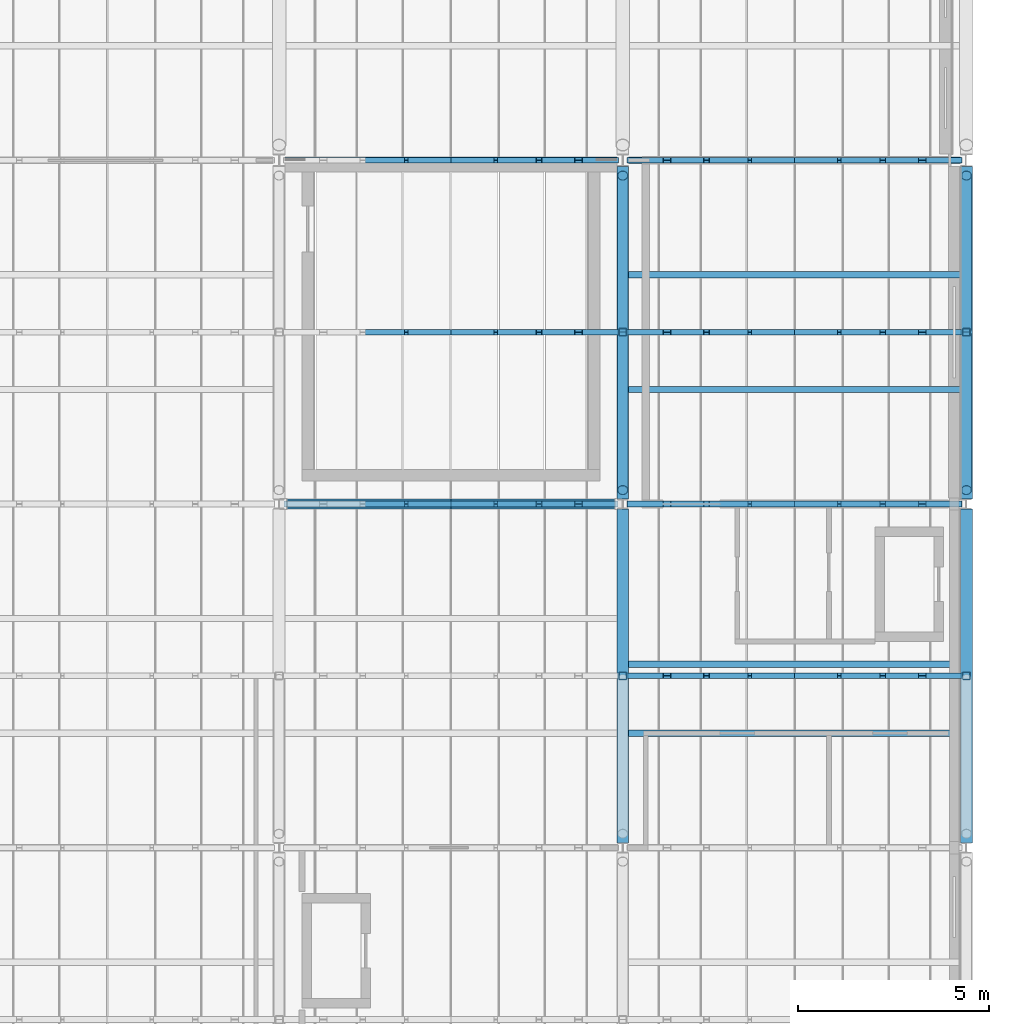
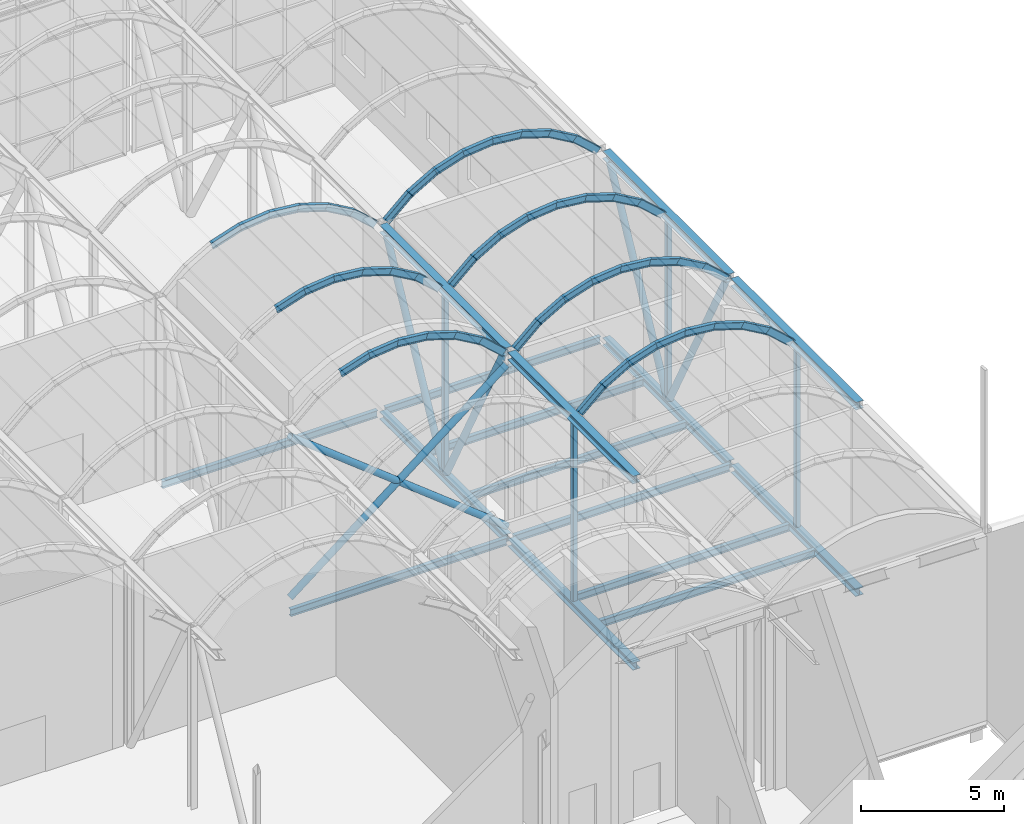
# One storey, part 101 of 144: 60 members, 16 beams.
"""IFC4 building model written with IfcOpenShell, lengths in metres."""

from ifc_helpers import new_model, si_unit, direction, frame, origin, origin_2d, place, context, subcontext, project, spatial, hollow_rectangle, hollow_circle, i_section, extrude, material, material_profile, profile_set, type_object, element, save


model = new_model("IFC4")

# Units and contexts
model_context = context("Model", 3, precision=1e-05, world=origin(), true_north=direction((0.0, 1.0)))
body_context = subcontext(model_context, "Body", "Model", "MODEL_VIEW")
ifc_project = project(units=[si_unit("LENGTHUNIT", "METRE"), si_unit("AREAUNIT", "SQUARE_METRE"), si_unit("VOLUMEUNIT", "CUBIC_METRE"), si_unit("PLANEANGLEUNIT", "RADIAN"), si_unit("MASSUNIT", "GRAM", prefix="KILO")], contexts=[model_context])

# Site, building, storey
site_placement = place(None, origin())
site = spatial("IfcSite", under=ifc_project, at=site_placement, CompositionType="ELEMENT")
building_placement = place(site_placement, origin())
building = spatial("IfcBuilding", under=site, at=building_placement, Name="Shorebreak Coast Museum", CompositionType="ELEMENT")
storey_placement = place(building_placement, frame((0.0, 0.0, 36.0)))
storey = spatial("IfcBuildingStorey", under=building, at=storey_placement, Name="L06", CompositionType="ELEMENT", Elevation=36.0)

# Beams
ifc_material_1 = material(Name="Steel Grade 300", Category="steel")
ifc_material_profile_1 = material_profile(ifc_material_1, i_section(OverallWidth=0.166015625, OverallDepth=0.30712890625, WebThickness=0.006591796875, FlangeThickness=0.01171875, FilletRadius=0.011474609375, at=origin_2d()), Name="310UB46.2")
ifc_profile_set_1 = profile_set([ifc_material_profile_1], Name="Steel Grade 300")
beam_type_1 = type_object("IfcBeamType", Name="Floor girder east-west 310UB46.2", PredefinedType="BEAM", material=ifc_profile_set_1)
for number, where, z_axis, x_axis, name in (
    (1, (99.126953125, 108.0, -0.32861328125), (1.0, 0.0, 0.0), (0.0, 1.0, 0.0), "Floor girder east-west L06 12N"),
    (2, (108.126953125, 108.0, -0.32861328125), (1.0, 0.0, 0.0), (0.0, 1.0, 0.0), "Floor girder east-west L06 13N"),
):
    element("IfcBeam", number, at=place(storey_placement, frame(where, z_axis=z_axis, x_axis=x_axis)), inside=storey, type_object=beam_type_1, Name=name, PredefinedType="BEAM", context=body_context, shape_type="SweptSolid", body=[
        extrude(i_section(OverallWidth=0.166015625, OverallDepth=0.30712890625, WebThickness=0.006591796875, FlangeThickness=0.01171875, FilletRadius=0.011474609375, at=origin_2d()), origin(), (0.0, 0.0, 1.0), 8.74609375),
    ])
for number, where, z_axis, x_axis, name in (
    (3, (99.155517578125, 117.0, -0.32861328125), (1.0, 0.0, 0.0), (0.0, 1.0, 0.0), "Floor girder east-west L06 12P"),
    (4, (108.155517578125, 117.0, -0.32861328125), (1.0, 0.0, 0.0), (0.0, 1.0, 0.0), "Floor girder east-west L06 13P"),
):
    element("IfcBeam", number, at=place(storey_placement, frame(where, z_axis=z_axis, x_axis=x_axis)), inside=storey, type_object=beam_type_1, Name=name, PredefinedType="BEAM", context=body_context, shape_type="SweptSolid", body=[
        extrude(i_section(OverallWidth=0.166015625, OverallDepth=0.30712890625, WebThickness=0.006591796875, FlangeThickness=0.01171875, FilletRadius=0.011474609375, at=origin_2d()), origin(), (0.0, 0.0, 1.0), 8.68896484375),
    ])
ifc_material_2 = material(Name="Steel Grade 300", Category="steel")
ifc_material_profile_2 = material_profile(ifc_material_2, i_section(OverallWidth=0.1650390625, OverallDepth=0.303955078125, WebThickness=0.006103515625, FlangeThickness=0.01025390625, FilletRadius=0.011474609375, at=origin_2d()), Name="310UB40.4")
ifc_profile_set_2 = profile_set([ifc_material_profile_2], Name="Steel Grade 300")
beam_type_2 = type_object("IfcBeamType", Name="Floor joist 310UB40.4", PredefinedType="JOIST", material=ifc_profile_set_2)
for number, where, z_axis, x_axis, name in (
    (5, (108.155517578125, 102.0, -0.326904296875), (1.0, 0.0, 0.0), (0.0, 1.0, 0.0), "Floor joist L06 bay 13M at 3000 mm"),
    (6, (108.155517578125, 103.800048828125, -0.326904296875), (1.0, 0.0, 0.0), (0.0, 1.0, 0.0), "Floor joist L06 bay 13M at 4800 mm"),
    (7, (108.155517578125, 111.0, -0.326904296875), (1.0, 0.0, 0.0), (0.0, 1.0, 0.0), "Floor joist L06 bay 13N at 3000 mm"),
    (8, (108.155517578125, 114.0, -0.326904296875), (1.0, 0.0, 0.0), (0.0, 1.0, 0.0), "Floor joist L06 bay 13N at 6000 mm"),
):
    element("IfcBeam", number, at=place(storey_placement, frame(where, z_axis=z_axis, x_axis=x_axis)), inside=storey, type_object=beam_type_2, Name=name, PredefinedType="JOIST", context=body_context, shape_type="SweptSolid", body=[
        extrude(i_section(OverallWidth=0.1650390625, OverallDepth=0.303955078125, WebThickness=0.006103515625, FlangeThickness=0.01025390625, FilletRadius=0.011474609375, at=origin_2d()), origin(), (0.0, 0.0, 1.0), 8.68896484375),
    ])
ifc_material_3 = material(Name="Steel Grade 300", Category="steel")
ifc_material_profile_3 = material_profile(ifc_material_3, i_section(OverallWidth=0.30908203125, OverallDepth=0.320556640625, WebThickness=0.013916015625, FlangeThickness=0.021728515625, FilletRadius=0.0166015625, at=origin_2d()), Name="310UC137")
ifc_profile_set_3 = profile_set([ifc_material_profile_3], Name="Steel Grade 300")
beam_type_3 = type_object("IfcBeamType", Name="Transfer truss chord 310UC137", PredefinedType="BEAM", material=ifc_profile_set_3)
beam_1_placement = place(storey_placement, frame((108.0, 99.126953125, -0.335205078125), z_axis=(0.0, 1.0, 0.0), x_axis=(-1.0, 0.0, 0.0)))
element("IfcBeam", 9, at=beam_1_placement, inside=storey, type_object=beam_type_3, Name="Transfer truss TR7 chord C06", PredefinedType="BEAM", context=body_context, shape_type="SweptSolid", body=[
    extrude(i_section(OverallWidth=0.30908203125, OverallDepth=0.320556640625, WebThickness=0.013916015625, FlangeThickness=0.021728515625, FilletRadius=0.0166015625, at=origin_2d()), origin(), (0.0, 0.0, 1.0), 8.74609375),
])
beam_2_placement = place(storey_placement, frame((108.0, 108.126953125, -0.335205078125), z_axis=(0.0, 1.0, 0.0), x_axis=(-1.0, 0.0, 0.0)))
element("IfcBeam", 10, at=beam_2_placement, inside=storey, type_object=beam_type_3, Name="Transfer truss TR7 chord C07", PredefinedType="BEAM", context=body_context, shape_type="SweptSolid", body=[
    extrude(i_section(OverallWidth=0.30908203125, OverallDepth=0.320556640625, WebThickness=0.013916015625, FlangeThickness=0.021728515625, FilletRadius=0.0166015625, at=origin_2d()), origin(), (0.0, 0.0, 1.0), 8.70947265625),
])
beam_3_placement = place(storey_placement, frame((117.0, 99.126953125, -0.335205078125), z_axis=(0.0, 1.0, 0.0), x_axis=(-1.0, 0.0, 0.0)))
element("IfcBeam", 11, at=beam_3_placement, inside=storey, type_object=beam_type_3, Name="Transfer truss TR8 chord C06", PredefinedType="BEAM", context=body_context, shape_type="SweptSolid", body=[
    extrude(i_section(OverallWidth=0.30908203125, OverallDepth=0.320556640625, WebThickness=0.013916015625, FlangeThickness=0.021728515625, FilletRadius=0.0166015625, at=origin_2d()), origin(), (0.0, 0.0, 1.0), 8.74609375),
])
beam_4_placement = place(storey_placement, frame((117.0, 108.126953125, -0.335205078125), z_axis=(0.0, 1.0, 0.0), x_axis=(-1.0, 0.0, 0.0)))
element("IfcBeam", 12, at=beam_4_placement, inside=storey, type_object=beam_type_3, Name="Transfer truss TR8 chord C07", PredefinedType="BEAM", context=body_context, shape_type="SweptSolid", body=[
    extrude(i_section(OverallWidth=0.30908203125, OverallDepth=0.320556640625, WebThickness=0.013916015625, FlangeThickness=0.021728515625, FilletRadius=0.0166015625, at=origin_2d()), origin(), (0.0, 0.0, 1.0), 8.70947265625),
])
ifc_material_4 = material(Name="Steel Grade 300", Category="steel")
ifc_material_profile_4 = material_profile(ifc_material_4, i_section(OverallWidth=0.31103515625, OverallDepth=0.3271484375, WebThickness=0.015625, FlangeThickness=0.02490234375, FilletRadius=0.0166015625, at=origin_2d()), Name="310UC158")
ifc_profile_set_4 = profile_set([ifc_material_profile_4], Name="Steel Grade 300")
beam_type_4 = type_object("IfcBeamType", Name="Transfer truss chord 310UC158", PredefinedType="BEAM", material=ifc_profile_set_4)
beam_5_placement = place(storey_placement, frame((108.0, 99.126953125, 7.621337890625), z_axis=(0.0, 1.0, 0.0), x_axis=(-1.0, 0.0, 0.0)))
element("IfcBeam", 13, at=beam_5_placement, inside=storey, type_object=beam_type_4, Name="Transfer truss TR7 chord C10", PredefinedType="BEAM", context=body_context, shape_type="SweptSolid", body=[
    extrude(i_section(OverallWidth=0.31103515625, OverallDepth=0.3271484375, WebThickness=0.015625, FlangeThickness=0.02490234375, FilletRadius=0.0166015625, at=origin_2d()), origin(), (0.0, 0.0, 1.0), 8.74609375),
])
beam_6_placement = place(storey_placement, frame((108.0, 108.126953125, 7.621337890625), z_axis=(0.0, 1.0, 0.0), x_axis=(-1.0, 0.0, 0.0)))
element("IfcBeam", 14, at=beam_6_placement, inside=storey, type_object=beam_type_4, Name="Transfer truss TR7 chord C11", PredefinedType="BEAM", context=body_context, shape_type="SweptSolid", body=[
    extrude(i_section(OverallWidth=0.31103515625, OverallDepth=0.3271484375, WebThickness=0.015625, FlangeThickness=0.02490234375, FilletRadius=0.0166015625, at=origin_2d()), origin(), (0.0, 0.0, 1.0), 8.70947265625),
])
beam_7_placement = place(storey_placement, frame((117.0, 99.126953125, 7.621337890625), z_axis=(0.0, 1.0, 0.0), x_axis=(-1.0, 0.0, 0.0)))
element("IfcBeam", 15, at=beam_7_placement, inside=storey, type_object=beam_type_4, Name="Transfer truss TR8 chord C10", PredefinedType="BEAM", context=body_context, shape_type="SweptSolid", body=[
    extrude(i_section(OverallWidth=0.31103515625, OverallDepth=0.3271484375, WebThickness=0.015625, FlangeThickness=0.02490234375, FilletRadius=0.0166015625, at=origin_2d()), origin(), (0.0, 0.0, 1.0), 8.74609375),
])
beam_8_placement = place(storey_placement, frame((117.0, 108.126953125, 7.621337890625), z_axis=(0.0, 1.0, 0.0), x_axis=(-1.0, 0.0, 0.0)))
element("IfcBeam", 16, at=beam_8_placement, inside=storey, type_object=beam_type_4, Name="Transfer truss TR8 chord C11", PredefinedType="BEAM", context=body_context, shape_type="SweptSolid", body=[
    extrude(i_section(OverallWidth=0.31103515625, OverallDepth=0.3271484375, WebThickness=0.015625, FlangeThickness=0.02490234375, FilletRadius=0.0166015625, at=origin_2d()), origin(), (0.0, 0.0, 1.0), 8.70947265625),
])

# Members
ifc_material_5 = material(Name="Steel Grade C350L0", Category="steel")
ifc_material_profile_5 = material_profile(ifc_material_5, hollow_circle(Radius=0.136474609375, WallThickness=0.00927734375, at=origin_2d()), Name="273.1x9.3 CHS")
ifc_profile_set_5 = profile_set([ifc_material_profile_5], Name="Steel Grade C350L0")
member_type_1 = type_object("IfcMemberType", Name="Transfer truss diagonal 273.1x9.3 CHS", PredefinedType="BRACE", material=ifc_profile_set_5)
member_1_placement = place(storey_placement, frame((108.0, 112.414794921875, -0.175048828125), z_axis=(0.0, -0.468802638879, 0.883302941114), x_axis=(1.0, 0.0, 0.0)))
element("IfcMember", 17, at=member_1_placement, inside=storey, type_object=member_type_1, Name="Transfer truss TR7 diagonal D13", PredefinedType="BRACE", context=body_context, shape_type="SweptSolid", body=[
    extrude(hollow_circle(Radius=0.136474609375, WallThickness=0.00927734375, at=origin_2d()), origin(), (0.0, 0.0, 1.0), 8.64111328125),
])
member_2_placement = place(storey_placement, frame((108.0, 112.584228515625, -0.175048828125), z_axis=(0.0, 0.465641431585, 0.884973478242), x_axis=(-1.0, 0.0, 0.0)))
element("IfcMember", 18, at=member_2_placement, inside=storey, type_object=member_type_1, Name="Transfer truss TR7 diagonal D14", PredefinedType="BRACE", context=body_context, shape_type="SweptSolid", body=[
    extrude(hollow_circle(Radius=0.136474609375, WallThickness=0.00927734375, at=origin_2d()), origin(), (0.0, 0.0, 1.0), 8.625),
])
member_3_placement = place(storey_placement, frame((117.0, 112.414794921875, -0.175048828125), z_axis=(0.0, -0.468802638879, 0.883302941114), x_axis=(1.0, 0.0, 0.0)))
element("IfcMember", 19, at=member_3_placement, inside=storey, type_object=member_type_1, Name="Transfer truss TR8 diagonal D13", PredefinedType="BRACE", context=body_context, shape_type="SweptSolid", body=[
    extrude(hollow_circle(Radius=0.136474609375, WallThickness=0.00927734375, at=origin_2d()), origin(), (0.0, 0.0, 1.0), 8.64111328125),
])
member_4_placement = place(storey_placement, frame((117.0, 112.584228515625, -0.175048828125), z_axis=(0.0, 0.465641431585, 0.884973478242), x_axis=(-1.0, 0.0, 0.0)))
element("IfcMember", 20, at=member_4_placement, inside=storey, type_object=member_type_1, Name="Transfer truss TR8 diagonal D14", PredefinedType="BRACE", context=body_context, shape_type="SweptSolid", body=[
    extrude(hollow_circle(Radius=0.136474609375, WallThickness=0.00927734375, at=origin_2d()), origin(), (0.0, 0.0, 1.0), 8.625),
])
ifc_material_6 = material(Name="Steel Grade C450L0", Category="steel")
ifc_material_profile_6 = material_profile(ifc_material_6, hollow_rectangle(XDim=0.199951171875, YDim=0.199951171875, WallThickness=0.009033203125, InnerFilletRadius=0.013427734375, OuterFilletRadius=0.0224609375, at=origin_2d()), Name="200x200x9.0 SHS")
ifc_profile_set_6 = profile_set([ifc_material_profile_6], Name="Steel Grade C450L0")
member_type_2 = type_object("IfcMemberType", Name="Transfer truss strut 200x200x9.0 SHS", PredefinedType="STRUT", material=ifc_profile_set_6)
for number, where, z_axis, x_axis, name in (
    (21, (108.0, 103.5, -0.175048828125), (0.0, 0.0, 1.0), (1.0, 0.0, 0.0), "Transfer truss TR7 strut V09"),
    (22, (108.0, 112.5, -0.175048828125), (0.0, 0.0, 1.0), (1.0, 0.0, 0.0), "Transfer truss TR7 strut V10"),
    (23, (117.0, 103.5, -0.175048828125), (0.0, 0.0, 1.0), (1.0, 0.0, 0.0), "Transfer truss TR8 strut V09"),
    (24, (117.0, 112.5, -0.175048828125), (0.0, 0.0, 1.0), (1.0, 0.0, 0.0), "Transfer truss TR8 strut V10"),
):
    element("IfcMember", number, at=place(storey_placement, frame(where, z_axis=z_axis, x_axis=x_axis)), inside=storey, type_object=member_type_2, Name=name, PredefinedType="STRUT", context=body_context, shape_type="SweptSolid", body=[
        extrude(hollow_rectangle(XDim=0.199951171875, YDim=0.199951171875, WallThickness=0.009033203125, InnerFilletRadius=0.013427734375, OuterFilletRadius=0.0224609375, at=origin_2d()), origin(), (0.0, 0.0, 1.0), 7.6328125),
    ])
ifc_material_7 = material(Name="Steel Grade 300", Category="steel")
ifc_material_profile_7 = material_profile(ifc_material_7, i_section(OverallWidth=0.14892578125, OverallDepth=0.298095703125, WebThickness=0.005615234375, FlangeThickness=0.008056640625, FilletRadius=0.012939453125, at=origin_2d()), Name="310UB32.0")
ifc_profile_set_7 = profile_set([ifc_material_profile_7], Name="Steel Grade 300")
member_type_3 = type_object("IfcMemberType", Name="Vault arch rib 310UB32.0", PredefinedType="RAFTER", material=ifc_profile_set_7)
for number, where, z_axis, x_axis, name in (
    (25, (101.165283203125, 108.0, 9.152099609375), (0.951225984169, 0.0, 0.308494938436), (0.0, 1.0, 0.0), "Vault arch rib V6 line 04 facet 3"),
    (26, (101.165283203125, 112.5, 9.152099609375), (0.951225984169, 0.0, 0.308494938436), (0.0, 1.0, 0.0), "Vault arch rib V6 line 05 facet 3"),
    (27, (101.165283203125, 117.0, 9.152099609375), (0.951225984169, 0.0, 0.308494938436), (0.0, 1.0, 0.0), "Vault arch rib V6 line 06 facet 3"),
    (28, (102.298828125, 108.0, 9.52294921875), (0.994539296345, 0.0, 0.104362771266), (0.0, 1.0, 0.0), "Vault arch rib V6 line 04 facet 4"),
    (29, (102.298828125, 112.5, 9.52294921875), (0.994539296345, 0.0, 0.104362771266), (0.0, 1.0, 0.0), "Vault arch rib V6 line 05 facet 4"),
    (30, (102.298828125, 117.0, 9.52294921875), (0.994539296345, 0.0, 0.104362771266), (0.0, 1.0, 0.0), "Vault arch rib V6 line 06 facet 4"),
    (31, (103.484375, 108.0, 9.650634765625), (0.994539296345, 0.0, -0.104362771266), (0.0, 1.0, 0.0), "Vault arch rib V6 line 04 facet 5"),
    (32, (103.484375, 112.5, 9.650634765625), (0.994539296345, 0.0, -0.104362771266), (0.0, 1.0, 0.0), "Vault arch rib V6 line 05 facet 5"),
    (33, (103.484375, 117.0, 9.650634765625), (0.994539296345, 0.0, -0.104362771266), (0.0, 1.0, 0.0), "Vault arch rib V6 line 06 facet 5"),
    (34, (104.6708984375, 108.0, 9.529541015625), (0.951225984169, 0.0, -0.308494938436), (0.0, 1.0, 0.0), "Vault arch rib V6 line 04 facet 6"),
    (35, (104.6708984375, 112.5, 9.529541015625), (0.951225984169, 0.0, -0.308494938436), (0.0, 1.0, 0.0), "Vault arch rib V6 line 05 facet 6"),
    (36, (104.6708984375, 117.0, 9.529541015625), (0.951225984169, 0.0, -0.308494938436), (0.0, 1.0, 0.0), "Vault arch rib V6 line 06 facet 6"),
    (37, (105.80615234375, 108.0, 9.16455078125), (0.866444596228, 0.0, -0.499273233478), (0.0, 1.0, 0.0), "Vault arch rib V6 line 04 facet 7"),
    (38, (105.80615234375, 112.5, 9.16455078125), (0.866444596228, 0.0, -0.499273233478), (0.0, 1.0, 0.0), "Vault arch rib V6 line 05 facet 7"),
    (39, (105.80615234375, 117.0, 9.16455078125), (0.866444596228, 0.0, -0.499273233478), (0.0, 1.0, 0.0), "Vault arch rib V6 line 06 facet 7"),
):
    element("IfcMember", number, at=place(storey_placement, frame(where, z_axis=z_axis, x_axis=x_axis)), inside=storey, type_object=member_type_3, Name=name, PredefinedType="RAFTER", context=body_context, shape_type="SweptSolid", body=[
        extrude(i_section(OverallWidth=0.14892578125, OverallDepth=0.298095703125, WebThickness=0.005615234375, FlangeThickness=0.008056640625, FilletRadius=0.012939453125, at=origin_2d()), origin(), (0.0, 0.0, 1.0), 1.223388671875),
    ])
for number, where, z_axis, x_axis, name in (
    (40, (106.841064453125, 108.0, 8.572021484375), (0.743894909598, 0.0, -0.668296613394), (0.0, 1.0, 0.0), "Vault arch rib V6 line 04 facet 8"),
    (41, (106.841064453125, 112.5, 8.572021484375), (0.743894909598, 0.0, -0.668296613394), (0.0, 1.0, 0.0), "Vault arch rib V6 line 05 facet 8"),
    (42, (106.841064453125, 117.0, 8.572021484375), (0.743894909598, 0.0, -0.668296613394), (0.0, 1.0, 0.0), "Vault arch rib V6 line 06 facet 8"),
    (43, (108.21240234375, 103.5, 7.7216796875), (0.743894909598, 0.0, 0.668296613394), (0.0, 1.0, 0.0), "Vault arch rib V7 line 03 facet 1"),
    (44, (108.21240234375, 108.0, 7.7216796875), (0.743894909598, 0.0, 0.668296613394), (0.0, 1.0, 0.0), "Vault arch rib V7 line 04 facet 1"),
    (45, (108.21240234375, 112.5, 7.7216796875), (0.743894909598, 0.0, 0.668296613394), (0.0, 1.0, 0.0), "Vault arch rib V7 line 05 facet 1"),
    (46, (108.21240234375, 117.0, 7.7216796875), (0.743894909598, 0.0, 0.668296613394), (0.0, 1.0, 0.0), "Vault arch rib V7 line 06 facet 1"),
):
    element("IfcMember", number, at=place(storey_placement, frame(where, z_axis=z_axis, x_axis=x_axis)), inside=storey, type_object=member_type_3, Name=name, PredefinedType="RAFTER", context=body_context, shape_type="SweptSolid", body=[
        extrude(i_section(OverallWidth=0.14892578125, OverallDepth=0.298095703125, WebThickness=0.005615234375, FlangeThickness=0.008056640625, FilletRadius=0.012939453125, at=origin_2d()), origin(), (0.0, 0.0, 1.0), 1.2724609375),
    ])
for number, where, z_axis, x_axis, name in (
    (47, (109.1337890625, 103.5, 8.5537109375), (0.866444596228, 0.0, 0.499273233478), (0.0, 1.0, 0.0), "Vault arch rib V7 line 03 facet 2"),
    (48, (109.1337890625, 108.0, 8.5537109375), (0.866444596228, 0.0, 0.499273233478), (0.0, 1.0, 0.0), "Vault arch rib V7 line 04 facet 2"),
    (49, (109.1337890625, 112.5, 8.5537109375), (0.866444596228, 0.0, 0.499273233478), (0.0, 1.0, 0.0), "Vault arch rib V7 line 05 facet 2"),
    (50, (109.1337890625, 117.0, 8.5537109375), (0.866444596228, 0.0, 0.499273233478), (0.0, 1.0, 0.0), "Vault arch rib V7 line 06 facet 2"),
    (51, (110.165283203125, 103.5, 9.152099609375), (0.951225984169, 0.0, 0.308494938436), (0.0, 1.0, 0.0), "Vault arch rib V7 line 03 facet 3"),
    (52, (110.165283203125, 108.0, 9.152099609375), (0.951225984169, 0.0, 0.308494938436), (0.0, 1.0, 0.0), "Vault arch rib V7 line 04 facet 3"),
    (53, (110.165283203125, 112.5, 9.152099609375), (0.951225984169, 0.0, 0.308494938436), (0.0, 1.0, 0.0), "Vault arch rib V7 line 05 facet 3"),
    (54, (110.165283203125, 117.0, 9.152099609375), (0.951225984169, 0.0, 0.308494938436), (0.0, 1.0, 0.0), "Vault arch rib V7 line 06 facet 3"),
    (55, (111.298828125, 103.5, 9.52294921875), (0.994539296345, 0.0, 0.104362771266), (0.0, 1.0, 0.0), "Vault arch rib V7 line 03 facet 4"),
    (56, (111.298828125, 108.0, 9.52294921875), (0.994539296345, 0.0, 0.104362771266), (0.0, 1.0, 0.0), "Vault arch rib V7 line 04 facet 4"),
    (57, (111.298828125, 112.5, 9.52294921875), (0.994539296345, 0.0, 0.104362771266), (0.0, 1.0, 0.0), "Vault arch rib V7 line 05 facet 4"),
    (58, (111.298828125, 117.0, 9.52294921875), (0.994539296345, 0.0, 0.104362771266), (0.0, 1.0, 0.0), "Vault arch rib V7 line 06 facet 4"),
    (59, (112.484375, 103.5, 9.650634765625), (0.994539296345, 0.0, -0.104362771266), (0.0, 1.0, 0.0), "Vault arch rib V7 line 03 facet 5"),
    (60, (112.484375, 108.0, 9.650634765625), (0.994539296345, 0.0, -0.104362771266), (0.0, 1.0, 0.0), "Vault arch rib V7 line 04 facet 5"),
    (61, (112.484375, 112.5, 9.650634765625), (0.994539296345, 0.0, -0.104362771266), (0.0, 1.0, 0.0), "Vault arch rib V7 line 05 facet 5"),
    (62, (112.484375, 117.0, 9.650634765625), (0.994539296345, 0.0, -0.104362771266), (0.0, 1.0, 0.0), "Vault arch rib V7 line 06 facet 5"),
    (63, (113.6708984375, 103.5, 9.529541015625), (0.951225984169, 0.0, -0.308494938436), (0.0, 1.0, 0.0), "Vault arch rib V7 line 03 facet 6"),
    (64, (113.6708984375, 108.0, 9.529541015625), (0.951225984169, 0.0, -0.308494938436), (0.0, 1.0, 0.0), "Vault arch rib V7 line 04 facet 6"),
    (65, (113.6708984375, 112.5, 9.529541015625), (0.951225984169, 0.0, -0.308494938436), (0.0, 1.0, 0.0), "Vault arch rib V7 line 05 facet 6"),
    (66, (113.6708984375, 117.0, 9.529541015625), (0.951225984169, 0.0, -0.308494938436), (0.0, 1.0, 0.0), "Vault arch rib V7 line 06 facet 6"),
    (67, (114.80615234375, 103.5, 9.16455078125), (0.866444596228, 0.0, -0.499273233478), (0.0, 1.0, 0.0), "Vault arch rib V7 line 03 facet 7"),
    (68, (114.80615234375, 108.0, 9.16455078125), (0.866444596228, 0.0, -0.499273233478), (0.0, 1.0, 0.0), "Vault arch rib V7 line 04 facet 7"),
    (69, (114.80615234375, 112.5, 9.16455078125), (0.866444596228, 0.0, -0.499273233478), (0.0, 1.0, 0.0), "Vault arch rib V7 line 05 facet 7"),
    (70, (114.80615234375, 117.0, 9.16455078125), (0.866444596228, 0.0, -0.499273233478), (0.0, 1.0, 0.0), "Vault arch rib V7 line 06 facet 7"),
):
    element("IfcMember", number, at=place(storey_placement, frame(where, z_axis=z_axis, x_axis=x_axis)), inside=storey, type_object=member_type_3, Name=name, PredefinedType="RAFTER", context=body_context, shape_type="SweptSolid", body=[
        extrude(i_section(OverallWidth=0.14892578125, OverallDepth=0.298095703125, WebThickness=0.005615234375, FlangeThickness=0.008056640625, FilletRadius=0.012939453125, at=origin_2d()), origin(), (0.0, 0.0, 1.0), 1.223388671875),
    ])
for number, where, z_axis, x_axis, name in (
    (71, (115.841064453125, 103.5, 8.572021484375), (0.743894909598, 0.0, -0.668296613394), (0.0, 1.0, 0.0), "Vault arch rib V7 line 03 facet 8"),
    (72, (115.841064453125, 108.0, 8.572021484375), (0.743894909598, 0.0, -0.668296613394), (0.0, 1.0, 0.0), "Vault arch rib V7 line 04 facet 8"),
    (73, (115.841064453125, 112.5, 8.572021484375), (0.743894909598, 0.0, -0.668296613394), (0.0, 1.0, 0.0), "Vault arch rib V7 line 05 facet 8"),
    (74, (115.841064453125, 117.0, 8.572021484375), (0.743894909598, 0.0, -0.668296613394), (0.0, 1.0, 0.0), "Vault arch rib V7 line 06 facet 8"),
):
    element("IfcMember", number, at=place(storey_placement, frame(where, z_axis=z_axis, x_axis=x_axis)), inside=storey, type_object=member_type_3, Name=name, PredefinedType="RAFTER", context=body_context, shape_type="SweptSolid", body=[
        extrude(i_section(OverallWidth=0.14892578125, OverallDepth=0.298095703125, WebThickness=0.005615234375, FlangeThickness=0.008056640625, FilletRadius=0.012939453125, at=origin_2d()), origin(), (0.0, 0.0, 1.0), 1.2724609375),
    ])
ifc_material_8 = material(Name="Steel Grade C350L0", Category="steel")
ifc_material_profile_8 = material_profile(ifc_material_8, hollow_circle(Radius=0.136474609375, WallThickness=0.00927734375, at=origin_2d()), Name="273.1x9.3 CHS")
ifc_profile_set_8 = profile_set([ifc_material_profile_8], Name="Steel Grade C350L0")
member_type_4 = type_object("IfcMemberType", Name="X-brace 273.1x9.3 CHS", PredefinedType="BRACE", material=ifc_profile_set_8)
for number, where, z_axis, x_axis, name in (
    (75, (99.126953125, 108.0, 0.300048828125), (0.785928408852, 0.0, 0.618317504329), (0.0, 1.0, 0.0), "X-brace bay 11 L06 diagonal 1"),
    (76, (107.873046875, 108.0, 0.300048828125), (-0.785928408852, 0.0, 0.618317504329), (0.0, -1.0, 0.0), "X-brace bay 11 L06 diagonal 2"),
):
    element("IfcMember", number, at=place(storey_placement, frame(where, z_axis=z_axis, x_axis=x_axis)), inside=storey, type_object=member_type_4, Name=name, PredefinedType="BRACE", context=body_context, shape_type="SweptSolid", body=[
        extrude(hollow_circle(Radius=0.136474609375, WallThickness=0.00927734375, at=origin_2d()), origin(), (0.0, 0.0, 1.0), 11.12841796875),
    ])

save(model, "model.ifc")
